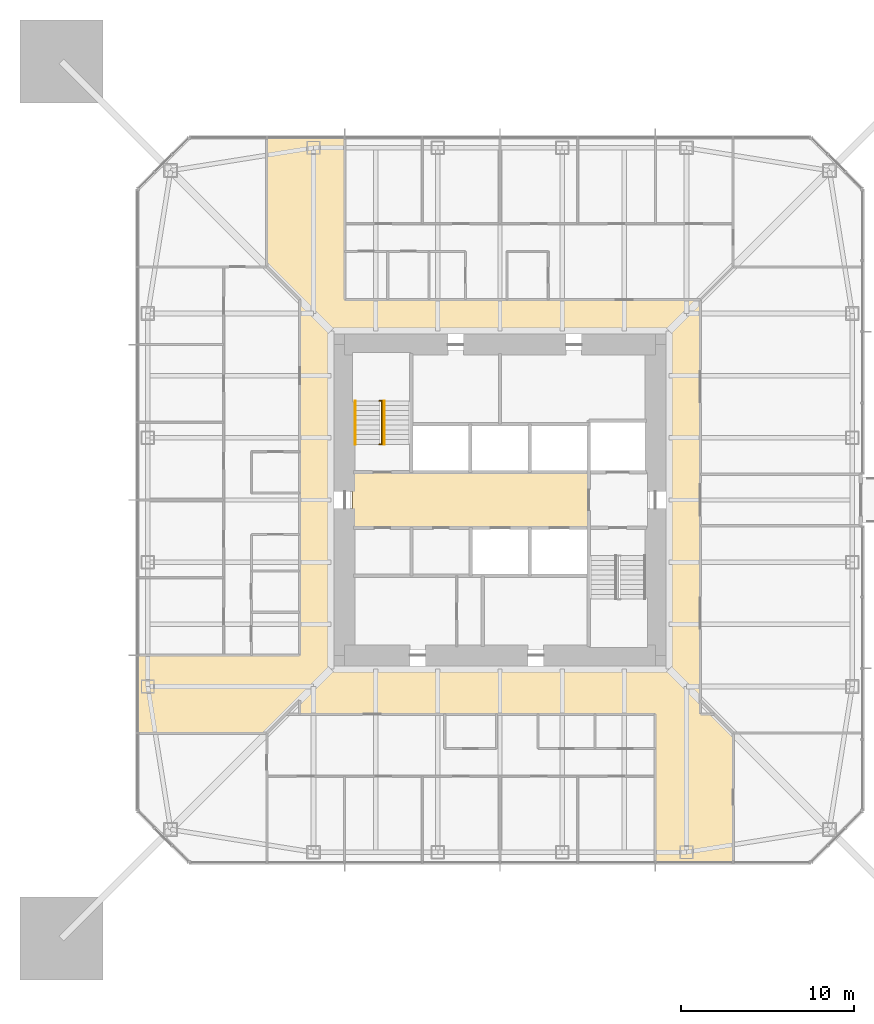
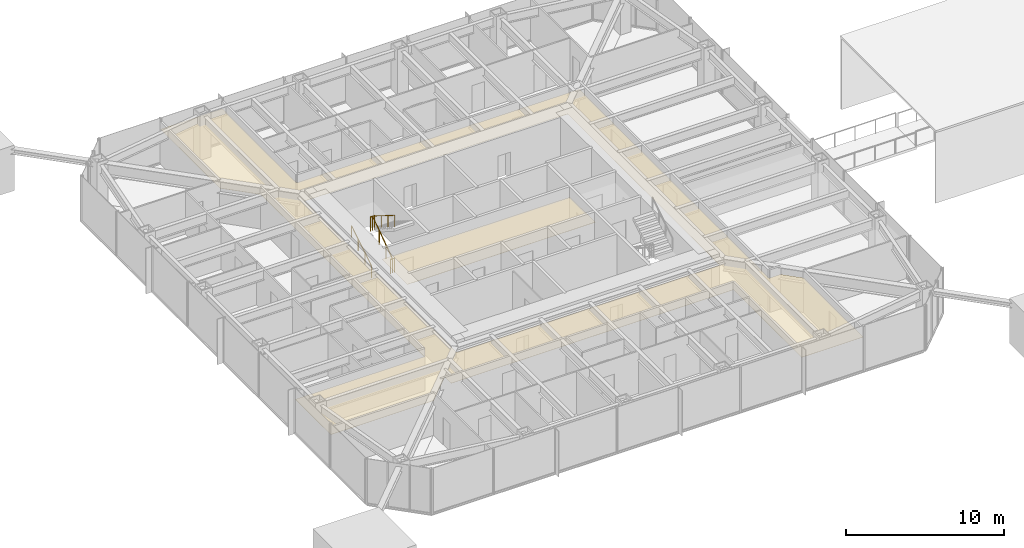
# One storey, part 19 of 23: 3 railings, 2 coverings.
"""IFC4 building model written with IfcOpenShell, lengths in metres."""

from ifc_helpers import new_model, si_unit, direction, frame, origin, origin_2d, place, context, subcontext, project, spatial, polyline, circle, outline, extrude, material, layer, layer_set, constituent, constituent_set, type_object, element, save


model = new_model("IFC4")

# Units and contexts
model_context = context("Model", 3, precision=1e-05, world=origin(), true_north=direction((0.0, 1.0)))
body_context = subcontext(model_context, "Body", "Model", "MODEL_VIEW")
ifc_project = project(units=[si_unit("LENGTHUNIT", "METRE"), si_unit("AREAUNIT", "SQUARE_METRE"), si_unit("VOLUMEUNIT", "CUBIC_METRE"), si_unit("PLANEANGLEUNIT", "RADIAN"), si_unit("MASSUNIT", "GRAM", prefix="KILO")], contexts=[model_context])

# Site, building, storey
site_placement = place(None, origin())
site = spatial("IfcSite", under=ifc_project, at=site_placement, CompositionType="ELEMENT")
building_placement = place(site_placement, origin())
building = spatial("IfcBuilding", under=site, at=building_placement, Name="Iwan Alto Co-Living Towers", CompositionType="ELEMENT")
storey_placement = place(building_placement, frame((0.0, 0.0, 129.5)))
storey = spatial("IfcBuildingStorey", under=building, at=storey_placement, Name="L35", CompositionType="ELEMENT", Elevation=129.5)

# Covering
ifc_material_1 = material(Name="Mineral fibre acoustic tiles on steel grid", Category="steel")
ifc_layer_1 = layer(ifc_material_1, 0.02001953125)
ifc_layer_set_1 = layer_set([ifc_layer_1], Name="ACOUSTIC TILE CEILING 20")
covering_type_1 = type_object("IfcCoveringType", Name="ACOUSTIC TILE CEILING 20", PredefinedType="CEILING", material=ifc_layer_set_1)
covering_1_placement = place(storey_placement, frame((0.0, 0.0, 2.60009765625)))
element("IfcCovering", 1, at=covering_1_placement, inside=storey, type_object=covering_type_1, Name="Ceiling Lift lobby L35", PredefinedType="CEILING", context=body_context, shape_type="SweptSolid", body=[
    extrude(outline(polyline([(-8.550048828125, -1.60009765625), (-8.550048828125, 1.60009765625), (5.14990234375, 1.60009765625), (5.14990234375, -1.60009765625), (-8.550048828125, -1.60009765625)])), origin(), (0.0, 0.0, 1.0), 0.02001953125),
])

# Railings
ifc_material_2 = material(Name="Steel ASTM A500 Gr C", Category="steel")
ifc_constituent_1 = constituent(ifc_material_2, Name="Rails and posts", Category="Framing")
ifc_material_3 = material(Name="Steel ASTM A36", Category="steel")
ifc_constituent_2 = constituent(ifc_material_3, Name="Bar infill", Category="Infill")
ifc_constituent_set = constituent_set(constituents=[ifc_constituent_1, ifc_constituent_2], Name="STAIR GUARD 1100")
railing_type_1 = type_object("IfcRailingType", Name="STAIR GUARD 1100", PredefinedType="GUARDRAIL", material=ifc_constituent_set)
railing_1_placement = place(storey_placement, frame((-6.85009765625, 3.219970703125, 0.0)))
element("IfcRailing", 2, at=railing_1_placement, inside=storey, type_object=railing_type_1, Name="Stair T1-S1 well guard L35", PredefinedType="GUARDRAIL", context=body_context, shape_type="SweptSolid", body=[
    extrude(circle(Radius=0.02392578125, at=origin_2d()), frame((0.0, 0.0, 1.076171875), z_axis=(0.0, 0.821372036852, 0.570392826987), x_axis=(-1.0, 0.0, 0.0)), (0.0, 0.0, 1.0), 3.068115234375),
    extrude(circle(Radius=0.02392578125, at=origin_2d()), frame((-0.14990234375, 0.0, 1.076171875), z_axis=(1.0, 0.0, 0.0), x_axis=(0.0, 1.0, 0.0)), (0.0, 0.0, 1.0), 0.300048828125),
    extrude(circle(Radius=0.02392578125, at=origin_2d()), frame((-0.14990234375, 2.52001953125, 2.826171875), z_axis=(1.0, 0.0, 0.0), x_axis=(0.0, 1.0, 0.0)), (0.0, 0.0, 1.0), 0.300048828125),
    extrude(circle(Radius=0.02099609375, at=origin_2d()), origin(), (0.0, 0.0, 1.0), 1.052001953125),
    extrude(circle(Radius=0.02099609375, at=origin_2d()), frame((0.0, 0.840087890625, 0.583251953125)), (0.0, 0.0, 1.0), 1.052001953125),
    extrude(circle(Radius=0.02099609375, at=origin_2d()), frame((0.0, 1.679931640625, 1.166748046875)), (0.0, 0.0, 1.0), 1.052001953125),
    extrude(circle(Radius=0.02099609375, at=origin_2d()), frame((0.0, 2.52001953125, 1.75)), (0.0, 0.0, 1.0), 1.052001953125),
    extrude(circle(Radius=0.02099609375, at=origin_2d()), frame((-0.14990234375, 0.0, 0.0)), (0.0, 0.0, 1.0), 1.052001953125),
    extrude(circle(Radius=0.02099609375, at=origin_2d()), frame((0.150146484375, 0.0, 0.0)), (0.0, 0.0, 1.0), 1.052001953125),
    extrude(circle(Radius=0.02099609375, at=origin_2d()), frame((-0.14990234375, 2.52001953125, 1.75)), (0.0, 0.0, 1.0), 1.052001953125),
    extrude(circle(Radius=0.02099609375, at=origin_2d()), frame((0.150146484375, 2.52001953125, 1.75)), (0.0, 0.0, 1.0), 1.052001953125),
])
ifc_material_4 = material(Name="Steel ASTM A500 Gr C", Category="steel")
railing_type_2 = type_object("IfcRailingType", Name="STAIR HANDRAIL 900", PredefinedType="HANDRAIL", material=ifc_material_4)
railing_2_placement = place(storey_placement, frame((-8.3798828125, 3.219970703125, 0.175048828125)))
element("IfcRailing", 3, at=railing_2_placement, inside=storey, type_object=railing_type_2, Name="Stair T1-S1 handrail 1 L35", PredefinedType="HANDRAIL", context=body_context, shape_type="SweptSolid", body=[
    extrude(circle(Radius=0.02392578125, at=origin_2d()), frame((0.0, 0.0, 0.8759765625), z_axis=(0.0, 0.848007534815, 0.529984170421), x_axis=(-1.0, 0.0, 0.0)), (0.0, 0.0, 1.0), 2.9716796875),
    extrude(circle(Radius=0.02099609375, at=origin_2d()), origin(), (0.0, 0.0, 1.0), 0.851806640625),
    extrude(circle(Radius=0.02099609375, at=origin_2d()), frame((0.0, 0.840087890625, 0.52490234375)), (0.0, 0.0, 1.0), 0.851806640625),
    extrude(circle(Radius=0.02099609375, at=origin_2d()), frame((0.0, 1.679931640625, 1.050048828125)), (0.0, 0.0, 1.0), 0.851806640625),
    extrude(circle(Radius=0.02099609375, at=origin_2d()), frame((0.0, 2.52001953125, 1.574951171875)), (0.0, 0.0, 1.0), 0.851806640625),
])
railing_3_placement = place(storey_placement, frame((-6.699951171875, 5.739990234375, 1.925048828125)))
element("IfcRailing", 4, at=railing_3_placement, inside=storey, type_object=railing_type_2, Name="Stair T1-S1 handrail 2 L35", PredefinedType="HANDRAIL", context=body_context, shape_type="SweptSolid", body=[
    extrude(circle(Radius=0.02392578125, at=origin_2d()), frame((0.0, 0.0, 0.8759765625), z_axis=(0.0, -0.848007534815, 0.529984170421), x_axis=(1.0, 0.0, 0.0)), (0.0, 0.0, 1.0), 2.9716796875),
    extrude(circle(Radius=0.02099609375, at=origin_2d()), origin(), (0.0, 0.0, 1.0), 0.851806640625),
    extrude(circle(Radius=0.02099609375, at=origin_2d()), frame((0.0, -0.840087890625, 0.52490234375)), (0.0, 0.0, 1.0), 0.851806640625),
    extrude(circle(Radius=0.02099609375, at=origin_2d()), frame((0.0, -1.679931640625, 1.050048828125)), (0.0, 0.0, 1.0), 0.851806640625),
    extrude(circle(Radius=0.02099609375, at=origin_2d()), frame((0.0, -2.52001953125, 1.574951171875)), (0.0, 0.0, 1.0), 0.851806640625),
])

# Covering
ifc_material_5 = material(Name="Gypsum plasterboard on steel grid", Category="steel")
ifc_layer_2 = layer(ifc_material_5, 0.014892578125)
ifc_layer_set_2 = layer_set([ifc_layer_2], Name="SUSPENDED PLASTERBOARD CEILING 15")
covering_type_2 = type_object("IfcCoveringType", Name="SUSPENDED PLASTERBOARD CEILING 15", PredefinedType="CEILING", material=ifc_layer_set_2)
covering_2_placement = place(storey_placement, frame((0.0, 0.0, 2.60009765625)))
element("IfcCovering", 5, at=covering_2_placement, inside=storey, type_object=covering_type_2, Name="Ceiling Corridor L35", PredefinedType="CEILING", context=body_context, shape_type="SweptSolid", body=[
    extrude(outline(polyline([(13.5, -21.0), (9.0, -21.0), (9.0, -12.39990234375), (-11.60009765625, -12.39990234375), (-11.60009765625, -11.60009765625), (-13.5, -13.5), (-21.0, -13.5), (-21.0, -9.0), (-11.60009765625, -9.0), (-11.60009765625, 11.60009765625), (-13.5, 13.5), (-13.5, 21.0), (-9.0, 21.0), (-9.0, 11.60009765625), (11.60009765625, 11.60009765625), (11.60009765625, -12.39990234375), (12.39990234375, -12.39990234375), (13.5, -13.5), (13.5, -21.0)]), holes=[polyline([(9.60009765625, -9.60009765625), (9.60009765625, 9.60009765625), (-9.60009765625, 9.60009765625), (-9.60009765625, -9.60009765625), (9.60009765625, -9.60009765625)])]), origin(), (0.0, 0.0, 1.0), 0.014892578125),
])

save(model, "model.ifc")
